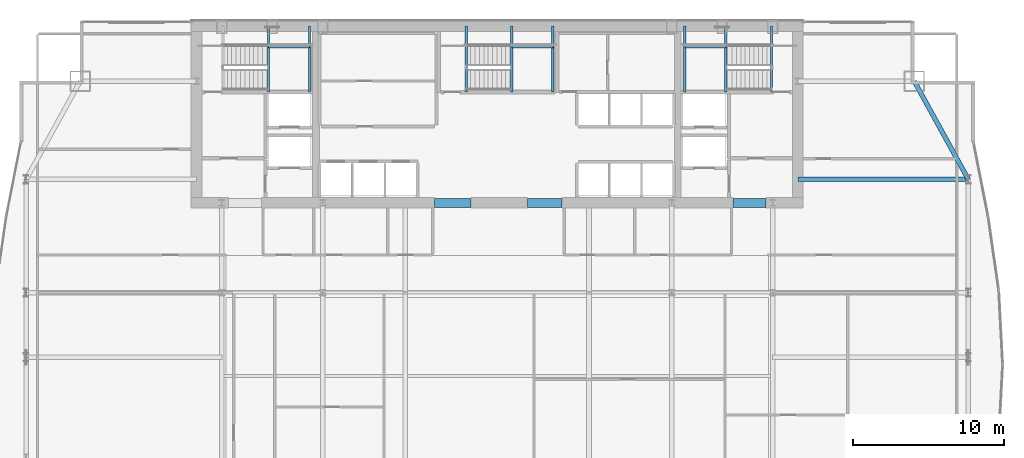
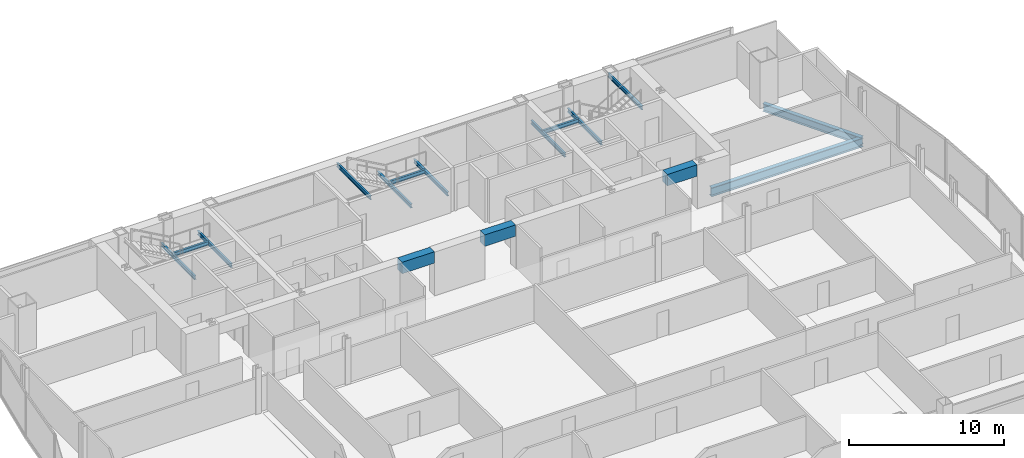
# One storey, part 19 of 29: 16 beams.
"""IFC4 building model written with IfcOpenShell, lengths in metres."""

from ifc_helpers import new_model, si_unit, direction, frame, origin, origin_2d, place, context, subcontext, project, spatial, rectangle, i_section, extrude, material, material_profile, profile_set, type_object, element, save


model = new_model("IFC4")

# Units and contexts
model_context = context("Model", 3, precision=1e-05, world=origin(), true_north=direction((0.0, 1.0)))
body_context = subcontext(model_context, "Body", "Model", "MODEL_VIEW")
ifc_project = project(units=[si_unit("LENGTHUNIT", "METRE"), si_unit("AREAUNIT", "SQUARE_METRE"), si_unit("VOLUMEUNIT", "CUBIC_METRE"), si_unit("PLANEANGLEUNIT", "RADIAN"), si_unit("MASSUNIT", "GRAM", prefix="KILO")], contexts=[model_context])

# Site, building, storey
site_placement = place(None, origin())
site = spatial("IfcSite", under=ifc_project, at=site_placement, CompositionType="ELEMENT")
building_placement = place(site_placement, origin())
building = spatial("IfcBuilding", under=site, at=building_placement, Name="Khoronbel Lancet Exchange", CompositionType="ELEMENT")
storey_placement = place(building_placement, frame((0.0, 0.0, 154.199951171875)))
storey = spatial("IfcBuildingStorey", under=building, at=storey_placement, Name="L38", CompositionType="ELEMENT", Elevation=154.199951171875)

# Beams
ifc_material_1 = material(Name="Steel S355", Category="steel")
ifc_material_profile_1 = material_profile(ifc_material_1, i_section(OverallWidth=0.300048828125, OverallDepth=0.699951171875, WebThickness=0.01708984375, FlangeThickness=0.031982421875, at=origin_2d()), Name="HEB 700")
ifc_profile_set_1 = profile_set([ifc_material_profile_1], Name="Steel S355")
beam_type_1 = type_object("IfcBeamType", Name="BM-BG3", PredefinedType="BEAM", material=ifc_profile_set_1)
beam_1_placement = place(storey_placement, frame((56.35009765625, 43.199951171875, -0.510009765625), z_axis=(1.0, 0.0, 0.0), x_axis=(0.0, 1.0, 0.0)))
element("IfcBeam", 1, at=beam_1_placement, inside=storey, type_object=beam_type_1, Name="Level L38 east lens tie girder LG3E", PredefinedType="BEAM", context=body_context, shape_type="SweptSolid", body=[
    extrude(i_section(OverallWidth=0.300048828125, OverallDepth=0.699951171875, WebThickness=0.01708984375, FlangeThickness=0.031982421875, at=origin_2d()), origin(), (0.0, 0.0, 1.0), 11.27978515625),
])
ifc_material_profile_2 = material_profile(ifc_material_1, i_section(OverallWidth=0.14990234375, OverallDepth=0.300048828125, WebThickness=0.007080078125, FlangeThickness=0.0107421875, at=origin_2d()), Name="IPE 300")
ifc_profile_set_2 = profile_set([ifc_material_profile_2], Name="Steel S355")
beam_type_2 = type_object("IfcBeamType", Name="BM-BJ8", PredefinedType="JOIST", material=ifc_profile_set_2)
for number, where, z_axis, x_axis, name in (
    (2, (21.320068359375, 48.97998046875, 1.449951171875), (0.0, 1.0, 0.0), (-1.0, 0.0, 0.0), "Level L38 stair ST1 landing bearer beam 1"),
    (3, (24.030029296875, 48.97998046875, 1.449951171875), (0.0, 1.0, 0.0), (-1.0, 0.0, 0.0), "Level L38 stair ST1 rear landing bearer beam 1"),
):
    element("IfcBeam", number, at=place(storey_placement, frame(where, z_axis=z_axis, x_axis=x_axis)), inside=storey, type_object=beam_type_2, Name=name, PredefinedType="JOIST", context=body_context, shape_type="SweptSolid", body=[
        extrude(i_section(OverallWidth=0.14990234375, OverallDepth=0.300048828125, WebThickness=0.007080078125, FlangeThickness=0.0107421875, at=origin_2d()), origin(), (0.0, 0.0, 1.0), 4.3701171875),
    ])
beam_2_placement = place(storey_placement, frame((21.320068359375, 51.97998046875, 1.449951171875), z_axis=(1.0, 0.0, 0.0), x_axis=(0.0, 1.0, 0.0)))
element("IfcBeam", 4, at=beam_2_placement, inside=storey, type_object=beam_type_2, Name="Level L38 stair ST1 landing cross trimmer beam 1", PredefinedType="JOIST", context=body_context, shape_type="SweptSolid", body=[
    extrude(i_section(OverallWidth=0.14990234375, OverallDepth=0.300048828125, WebThickness=0.007080078125, FlangeThickness=0.0107421875, at=origin_2d()), origin(), (0.0, 0.0, 1.0), 2.7099609375),
])
for number, where, z_axis, x_axis, name in (
    (5, (51.580078125, 48.97998046875, 1.449951171875), (0.0, 1.0, 0.0), (-1.0, 0.0, 0.0), "Level L38 stair ST2 landing bearer beam 1"),
    (6, (48.8701171875, 48.97998046875, 1.449951171875), (0.0, 1.0, 0.0), (-1.0, 0.0, 0.0), "Level L38 stair ST2 rear landing bearer beam 1"),
):
    element("IfcBeam", number, at=place(storey_placement, frame(where, z_axis=z_axis, x_axis=x_axis)), inside=storey, type_object=beam_type_2, Name=name, PredefinedType="JOIST", context=body_context, shape_type="SweptSolid", body=[
        extrude(i_section(OverallWidth=0.14990234375, OverallDepth=0.300048828125, WebThickness=0.007080078125, FlangeThickness=0.0107421875, at=origin_2d()), origin(), (0.0, 0.0, 1.0), 4.3701171875),
    ])
beam_3_placement = place(storey_placement, frame((48.8701171875, 51.97998046875, 1.449951171875), z_axis=(1.0, 0.0, 0.0), x_axis=(0.0, 1.0, 0.0)))
element("IfcBeam", 7, at=beam_3_placement, inside=storey, type_object=beam_type_2, Name="Level L38 stair ST2 landing cross trimmer beam 1", PredefinedType="JOIST", context=body_context, shape_type="SweptSolid", body=[
    extrude(i_section(OverallWidth=0.14990234375, OverallDepth=0.300048828125, WebThickness=0.007080078125, FlangeThickness=0.0107421875, at=origin_2d()), origin(), (0.0, 0.0, 1.0), 2.7099609375),
])
for number, where, z_axis, x_axis, name in (
    (8, (54.60009765625, 48.97998046875, 3.16015625), (0.0, 1.0, 0.0), (-1.0, 0.0, 0.0), "Level L38 stair ST2 upper-flight arrival trimmer beam"),
    (9, (37.419921875, 48.97998046875, 1.449951171875), (0.0, 1.0, 0.0), (-1.0, 0.0, 0.0), "Level L38 stair ST3 landing bearer beam 1"),
    (10, (40.1298828125, 48.97998046875, 1.449951171875), (0.0, 1.0, 0.0), (-1.0, 0.0, 0.0), "Level L38 stair ST3 rear landing bearer beam 1"),
):
    element("IfcBeam", number, at=place(storey_placement, frame(where, z_axis=z_axis, x_axis=x_axis)), inside=storey, type_object=beam_type_2, Name=name, PredefinedType="JOIST", context=body_context, shape_type="SweptSolid", body=[
        extrude(i_section(OverallWidth=0.14990234375, OverallDepth=0.300048828125, WebThickness=0.007080078125, FlangeThickness=0.0107421875, at=origin_2d()), origin(), (0.0, 0.0, 1.0), 4.3701171875),
    ])
beam_4_placement = place(storey_placement, frame((37.419921875, 51.97998046875, 1.449951171875), z_axis=(1.0, 0.0, 0.0), x_axis=(0.0, 1.0, 0.0)))
element("IfcBeam", 11, at=beam_4_placement, inside=storey, type_object=beam_type_2, Name="Level L38 stair ST3 landing cross trimmer beam 1", PredefinedType="JOIST", context=body_context, shape_type="SweptSolid", body=[
    extrude(i_section(OverallWidth=0.14990234375, OverallDepth=0.300048828125, WebThickness=0.007080078125, FlangeThickness=0.0107421875, at=origin_2d()), origin(), (0.0, 0.0, 1.0), 2.7099609375),
])
beam_5_placement = place(storey_placement, frame((34.39990234375, 48.97998046875, 3.16015625), z_axis=(0.0, 1.0, 0.0), x_axis=(-1.0, 0.0, 0.0)))
element("IfcBeam", 12, at=beam_5_placement, inside=storey, type_object=beam_type_2, Name="Level L38 stair ST3 upper-flight arrival trimmer beam", PredefinedType="JOIST", context=body_context, shape_type="SweptSolid", body=[
    extrude(i_section(OverallWidth=0.14990234375, OverallDepth=0.300048828125, WebThickness=0.007080078125, FlangeThickness=0.0107421875, at=origin_2d()), origin(), (0.0, 0.0, 1.0), 4.3701171875),
])
ifc_material_2 = material(Name="Concrete C80/95", Category="concrete")
ifc_material_profile_3 = material_profile(ifc_material_2, rectangle(XDim=0.60009765625, YDim=0.89990234375, at=origin_2d()), Name="RC 600x900")
ifc_profile_set_3 = profile_set([ifc_material_profile_3], Name="Concrete C80/95")
beam_type_3 = type_object("IfcBeamType", Name="BM-BL1", PredefinedType="LINTEL", material=ifc_profile_set_3)
beam_6_placement = place(storey_placement, frame((32.300048828125, 41.64990234375, 2.989990234375), z_axis=(1.0, 0.0, 0.0), x_axis=(0.0, 1.0, 0.0)))
element("IfcBeam", 13, at=beam_6_placement, inside=storey, type_object=beam_type_3, Name="Level L38 rear core coupling lintel L2", PredefinedType="LINTEL", context=body_context, shape_type="SweptSolid", body=[
    extrude(rectangle(XDim=0.60009765625, YDim=0.89990234375, at=origin_2d()), origin(), (0.0, 0.0, 1.0), 2.39990234375),
])
beam_7_placement = place(storey_placement, frame((38.449951171875, 41.64990234375, 2.989990234375), z_axis=(1.0, 0.0, 0.0), x_axis=(0.0, 1.0, 0.0)))
element("IfcBeam", 14, at=beam_7_placement, inside=storey, type_object=beam_type_3, Name="Level L38 rear core coupling lintel L3", PredefinedType="LINTEL", context=body_context, shape_type="SweptSolid", body=[
    extrude(rectangle(XDim=0.60009765625, YDim=0.89990234375, at=origin_2d()), origin(), (0.0, 0.0, 1.0), 2.300048828125),
])
beam_8_placement = place(storey_placement, frame((52.050048828125, 41.64990234375, 2.989990234375), z_axis=(1.0, 0.0, 0.0), x_axis=(0.0, 1.0, 0.0)))
element("IfcBeam", 15, at=beam_8_placement, inside=storey, type_object=beam_type_3, Name="Level L38 rear core coupling lintel L4", PredefinedType="LINTEL", context=body_context, shape_type="SweptSolid", body=[
    extrude(rectangle(XDim=0.60009765625, YDim=0.89990234375, at=origin_2d()), origin(), (0.0, 0.0, 1.0), 2.199951171875),
])
ifc_material_profile_4 = material_profile(ifc_material_1, i_section(OverallWidth=0.300048828125, OverallDepth=0.60009765625, WebThickness=0.015380859375, FlangeThickness=0.030029296875, at=origin_2d()), Name="HEB 600")
ifc_profile_set_4 = profile_set([ifc_material_profile_4], Name="Steel S355")
beam_type_4 = type_object("IfcBeamType", Name="BM-BSP2", PredefinedType="SPANDREL", material=ifc_profile_set_4)
beam_9_placement = place(storey_placement, frame((67.6298828125, 43.199951171875, -0.4599609375), z_axis=(-0.482418808117, 0.875940690672, 0.0), x_axis=(-0.875940690672, -0.482418808117, 0.0)))
element("IfcBeam", 16, at=beam_9_placement, inside=storey, type_object=beam_type_4, Name="Level L38 perimeter spandrel beam SP15", PredefinedType="SPANDREL", context=body_context, shape_type="SweptSolid", body=[
    extrude(i_section(OverallWidth=0.300048828125, OverallDepth=0.60009765625, WebThickness=0.015380859375, FlangeThickness=0.030029296875, at=origin_2d()), origin(), (0.0, 0.0, 1.0), 7.420654296875),
])

save(model, "model.ifc")
